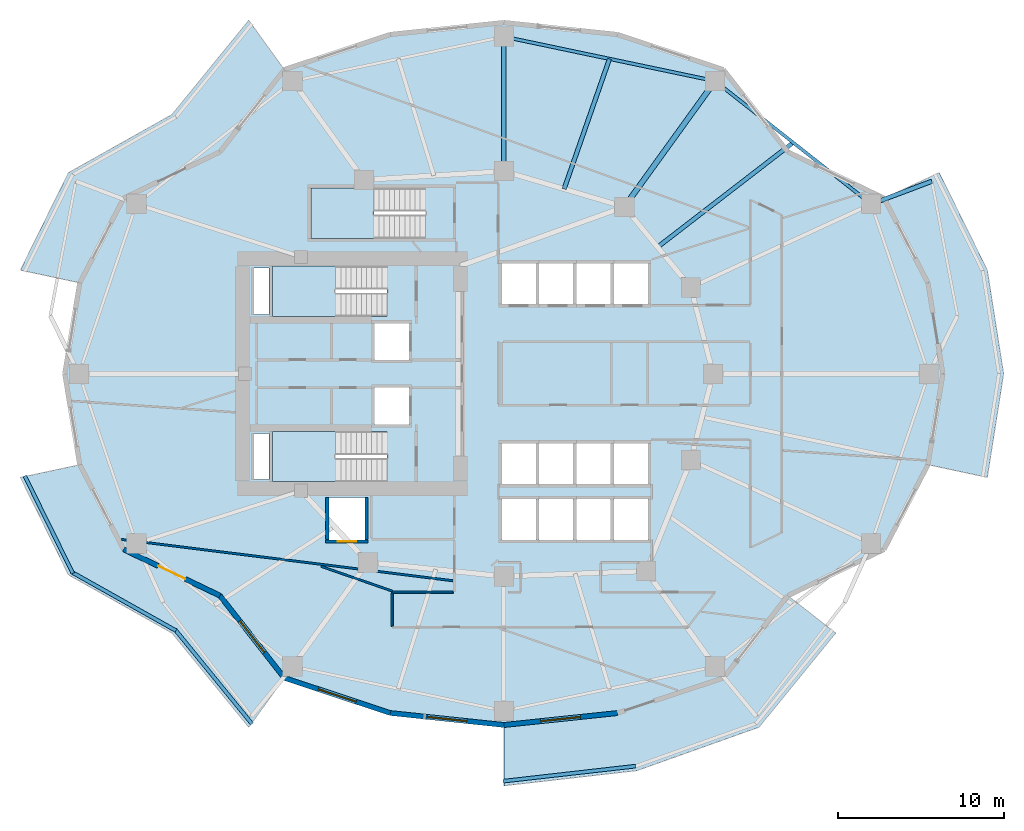
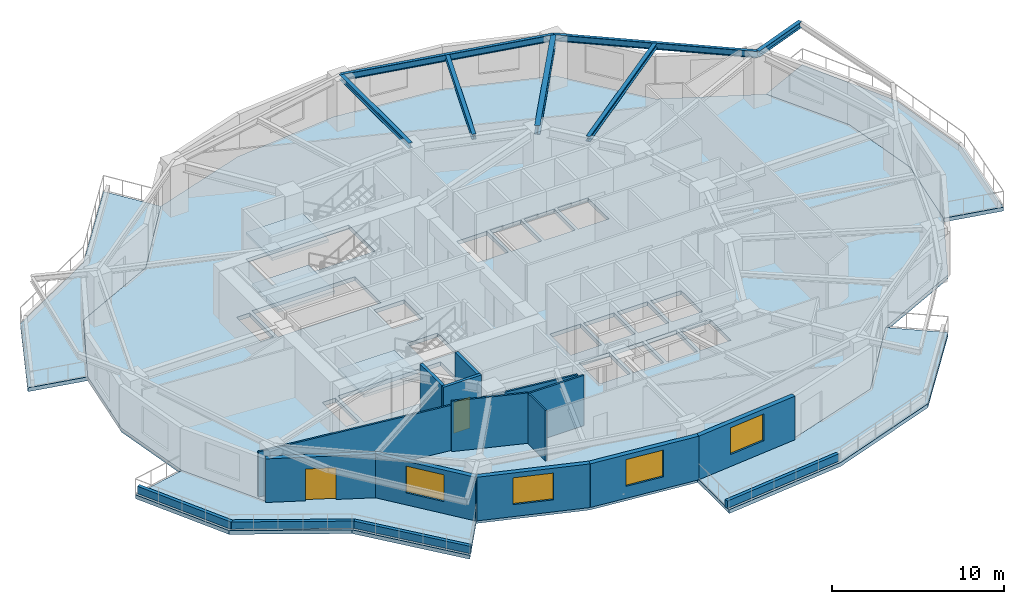
# One storey, part 2 of 11: 16 walls, 8 slabs, 7 beams, 4 windows, 2 doors, 6 openings, 3 elements without a shape of their own.
"""IFC4 building model written with IfcOpenShell, lengths in metres."""

import ifcopenshell
import ifcopenshell.guid

model = None  # the IFC model being written
_history = None  # IfcOwnerHistory: only IFC2X3 demands one
_inside = {}  # id of a spatial element -> (the spatial element, [elements in it])
_under = {}  # id of a project, library or spatial element -> (it, [spatial elements below it])
_declared = {}  # id of a project -> (the project, [libraries it declares])
_typed = {}  # id of a type object -> (the type object, [elements of that type])
_made_of = {}  # id of a material, layer set ... -> (it, [elements and type objects made of it])


def new_model(schema):
    """Start an empty IFC model of exactly this schema.

    Asked for "IFC4X3", IfcOpenShell would pick the latest addendum, in which some entities
    have other attributes; the version numbers below select the first issue.
    IFC2X3 requires an IfcOwnerHistory on every rooted entity: one is made here for all.
    """
    global model, _history
    if schema == "IFC4X3":
        model = ifcopenshell.file(schema_version=(4, 3, 0, 0))
    else:
        model = ifcopenshell.file(schema=schema)
    _inside.clear()
    _under.clear()
    _declared.clear()
    _typed.clear()
    _made_of.clear()
    _history = None
    if model.schema == "IFC2X3":
        org = make("IfcOrganization", Name="unknown")
        user = make(
            "IfcPersonAndOrganization",
            ThePerson=make("IfcPerson", FamilyName="unknown"),
            TheOrganization=org,
        )
        app = make(
            "IfcApplication",
            ApplicationDeveloper=org,
            Version="unknown",
            ApplicationFullName="unknown",
            ApplicationIdentifier="unknown",
        )
        _history = make(
            "IfcOwnerHistory",
            OwningUser=user,
            OwningApplication=app,
            ChangeAction="ADDED",
            CreationDate=0,
        )
    return model


def make(cls, **values):
    """One entity of the class cls with the attributes given. An attribute that is None is left unset."""
    return model.create_entity(
        cls, **{name: value for name, value in values.items() if value is not None}
    )


def rooted(cls, **values):
    """An entity with a GlobalId (a new one), such as an element, a storey or a relation."""
    return make(cls, GlobalId=ifcopenshell.guid.new(), OwnerHistory=_history, **values)


def si_unit(unit_type, name, prefix=None):
    """IfcSIUnit, for example si_unit("LENGTHUNIT", "METRE", prefix="MILLI")."""
    return make("IfcSIUnit", UnitType=unit_type, Prefix=prefix, Name=name)


def assignment(units):
    """IfcUnitAssignment: the units of a project."""
    return None if units is None else make("IfcUnitAssignment", Units=units)


def point(xyz):
    """IfcCartesianPoint."""
    return None if xyz is None else make("IfcCartesianPoint", Coordinates=xyz)


def direction(xyz):
    """IfcDirection."""
    return None if xyz is None else make("IfcDirection", DirectionRatios=xyz)


def frame(location, z_axis=None, x_axis=None):
    """IfcAxis2Placement3D, a coordinate frame: its origin and axes. An axis left out is left unset."""
    return make(
        "IfcAxis2Placement3D",
        Location=point(location),
        Axis=direction(z_axis),
        RefDirection=direction(x_axis),
    )


def frame_2d(location, x_axis=None):
    """IfcAxis2Placement2D, a coordinate frame in the plane: its origin and x axis."""
    return make(
        "IfcAxis2Placement2D", Location=point(location), RefDirection=direction(x_axis)
    )


def origin():
    """The frame at (0, 0, 0) with its axes left unset."""
    return frame((0.0, 0.0, 0.0))


def origin_2d():
    """The frame at (0, 0) in the plane with its x axis left unset."""
    return frame_2d((0.0, 0.0))


def place(relative_to, where):
    """IfcLocalPlacement: puts the frame where relative to a parent placement (None: the world)."""
    return make(
        "IfcLocalPlacement", PlacementRelTo=relative_to, RelativePlacement=where
    )


def context(
    kind, dimensions, precision=None, world=None, true_north=None, identifier=None
):
    """IfcGeometricRepresentationContext, for example the 3D "Model" context."""
    return make(
        "IfcGeometricRepresentationContext",
        ContextIdentifier=identifier,
        ContextType=kind,
        CoordinateSpaceDimension=dimensions,
        Precision=precision,
        WorldCoordinateSystem=world,
        TrueNorth=true_north,
    )


def subcontext(parent, identifier, kind, view, scale=None):
    """IfcGeometricRepresentationSubContext, for example "Body" below "Model"."""
    return make(
        "IfcGeometricRepresentationSubContext",
        ContextIdentifier=identifier,
        ContextType=kind,
        ParentContext=parent,
        TargetScale=scale,
        TargetView=view,
    )


def project(units=None, contexts=None):
    """IfcProject with its units and contexts."""
    return rooted(
        "IfcProject",
        Name="project",
        RepresentationContexts=contexts,
        UnitsInContext=assignment(units),
    )


def spatial(cls, under=None, at=None, **own):
    """A site, building, storey or space (cls), placed at a placement, below another one or the project."""
    s = rooted(cls, ObjectPlacement=at, **own)
    if under is not None:
        _under.setdefault(under.id(), (under, []))[1].append(s)
    return s


def polyline(points):
    """IfcPolyline through the points."""
    return make("IfcPolyline", Points=[point(p) for p in points])


def profile(cls, at=None, kind="AREA", **sizes):
    """A parametric profile (cls). Its sizes go by their IFC names, for example OverallWidth=200.0."""
    return make(cls, ProfileType=kind, Position=at, **sizes)


def rectangle(**sizes):
    """IfcRectangleProfileDef."""
    return profile("IfcRectangleProfileDef", **sizes)


def i_section(**sizes):
    """IfcIShapeProfileDef."""
    return profile("IfcIShapeProfileDef", **sizes)


def outline(outer, holes=None, kind="AREA"):
    """IfcArbitraryClosedProfileDef: a profile drawn as a closed curve; with holes, ...WithVoids."""
    if holes is None:
        return make("IfcArbitraryClosedProfileDef", ProfileType=kind, OuterCurve=outer)
    return make(
        "IfcArbitraryProfileDefWithVoids",
        ProfileType=kind,
        OuterCurve=outer,
        InnerCurves=holes,
    )


def extrude(swept, where, along, depth):
    """IfcExtrudedAreaSolid: the profile swept, set in the frame where, extruded along a direction by depth."""
    return make(
        "IfcExtrudedAreaSolid",
        SweptArea=swept,
        Position=where,
        ExtrudedDirection=direction(along),
        Depth=depth,
    )


def shape(context_of_items, identifier, shape_type, items):
    """IfcShapeRepresentation: the items that make up one representation, for example the "Body"."""
    return make(
        "IfcShapeRepresentation",
        ContextOfItems=context_of_items,
        RepresentationIdentifier=identifier,
        RepresentationType=shape_type,
        Items=items,
    )


def material(Name=None, Category=None):
    """IfcMaterial."""
    return make("IfcMaterial", Name=Name, Category=Category)


def layer(
    of_material, thickness, ventilated=None, Name=None, Category=None, Priority=None
):
    """IfcMaterialLayer: one layer of a wall or slab, of a material (None: an air gap)."""
    return make(
        "IfcMaterialLayer",
        Material=of_material,
        LayerThickness=thickness,
        IsVentilated=ventilated,
        Name=Name,
        Category=Category,
        Priority=Priority,
    )


def layer_set(layers, Name=None):
    """IfcMaterialLayerSet."""
    return make("IfcMaterialLayerSet", MaterialLayers=layers, LayerSetName=Name)


def material_profile(
    of_material, cross_section, Name=None, Category=None, Priority=None
):
    """IfcMaterialProfile: a cross section and its material."""
    return make(
        "IfcMaterialProfile",
        Name=Name,
        Material=of_material,
        Profile=cross_section,
        Priority=Priority,
        Category=Category,
    )


def profile_set(profiles, Name=None, composite=None):
    """IfcMaterialProfileSet."""
    return make(
        "IfcMaterialProfileSet",
        Name=Name,
        MaterialProfiles=profiles,
        CompositeProfile=composite,
    )


def made_of(thing, what):
    """Note that an element or type object is made of a material, layer set ...; save() writes the relation."""
    if what is not None:
        _made_of.setdefault(what.id(), (what, []))[1].append(thing)
    return thing


def type_object(cls, material=None, **own):
    """A type object (cls), such as IfcWallType, which elements share."""
    return made_of(rooted(cls, **own), material)


def element(
    cls,
    number,
    at=None,
    inside=None,
    cuts=None,
    type_object=None,
    material=None,
    context=None,
    identifier="Body",
    shape_type=None,
    held_by="IfcProductDefinitionShape",
    body=None,
    shapes=None,
    **own,
):
    """One element of the class cls, such as IfcWall. Its Tag is "e" and its number.

    at: its placement. inside: the storey or other place that contains it. cuts: it is an
    opening in that element (IfcRelVoidsElement). A single representation is given by context,
    identifier, shape_type and body (its items); several are given by shapes. held_by: the class
    of the entity that holds the representations. save() writes the other relations.
    """
    e = rooted(cls, Tag="e%d" % number, ObjectPlacement=at, **own)
    if body is not None:
        shapes = [shape(context, identifier, shape_type, body)]
    if shapes is not None:
        e.Representation = make(held_by, Representations=shapes)
    if inside is not None:
        _inside.setdefault(inside.id(), (inside, []))[1].append(e)
    if cuts is not None:
        rooted(
            "IfcRelVoidsElement", RelatingBuildingElement=cuts, RelatedOpeningElement=e
        )
    if type_object is not None:
        _typed.setdefault(type_object.id(), (type_object, []))[1].append(e)
    return made_of(e, material)


def fill(opening, filler):
    """IfcRelFillsElement: the door or window that sits in an opening."""
    return rooted(
        "IfcRelFillsElement",
        RelatingOpeningElement=opening,
        RelatedBuildingElement=filler,
    )


def aggregate(whole, parts):
    """IfcRelAggregates: a whole, such as a stair, and the parts it consists of."""
    return rooted("IfcRelAggregates", RelatingObject=whole, RelatedObjects=parts)


def save(model, path):
    """Write the relations noted so far, then the file.

    IfcRelAggregates (storeys below a building ...), IfcRelContainedInSpatialStructure (elements
    in a storey), IfcRelDefinesByType, IfcRelAssociatesMaterial and IfcRelDeclares: one each for
    every whole, place, type object, material and project.
    """
    for whole, parts in _under.values():
        aggregate(whole, parts)
    for where, things in _inside.values():
        rooted(
            "IfcRelContainedInSpatialStructure",
            RelatedElements=things,
            RelatingStructure=where,
        )
    for kind, things in _typed.values():
        rooted("IfcRelDefinesByType", RelatedObjects=things, RelatingType=kind)
    for what, things in _made_of.values():
        rooted("IfcRelAssociatesMaterial", RelatedObjects=things, RelatingMaterial=what)
    for by, libraries in _declared.values():
        rooted("IfcRelDeclares", RelatingContext=by, RelatedDefinitions=libraries)
    model.write(path)


model = new_model("IFC4")

# Units and contexts
model_context = context("Model", 3, precision=1e-05, world=origin(), true_north=direction((0.0, 1.0)))
body_context = subcontext(model_context, "Body", "Model", "MODEL_VIEW")
ifc_project = project(units=[si_unit("LENGTHUNIT", "METRE"), si_unit("AREAUNIT", "SQUARE_METRE"), si_unit("VOLUMEUNIT", "CUBIC_METRE"), si_unit("PLANEANGLEUNIT", "RADIAN"), si_unit("MASSUNIT", "GRAM", prefix="KILO")], contexts=[model_context])

# Site, building, storey
site_placement = place(None, origin())
site = spatial("IfcSite", under=ifc_project, at=site_placement, CompositionType="ELEMENT")
building_placement = place(site_placement, origin())
building = spatial("IfcBuilding", under=site, at=building_placement, Name="Kolvaren Gate Tower and Convention Centre", CompositionType="ELEMENT")
storey_placement = place(building_placement, frame((0.0, 0.0, 80.39990234375)))
storey = spatial("IfcBuildingStorey", under=building, at=storey_placement, Name="L19", CompositionType="ELEMENT", Elevation=80.39990234375)

# Beams
ifc_material_1 = material(Name="Structural steel ASTM A992 Grade 345 MPa", Category="steel")
ifc_material_profile_1 = material_profile(ifc_material_1, i_section(OverallWidth=0.260009765625, OverallDepth=0.419921875, WebThickness=0.013427734375, FlangeThickness=0.0224609375, at=origin_2d()), Name="W410X132")
ifc_profile_set_1 = profile_set([ifc_material_profile_1], Name="Structural steel ASTM A992 Grade 345 MPa")
beam_type_1 = type_object("IfcBeamType", Name="STR-BM-W410X132", PredefinedType="BEAM", material=ifc_profile_set_1)
beam_1_placement = place(storey_placement, frame((52.248779296875, 37.218505859375, 3.360595703125), z_axis=(0.935601718951, 0.353057252434, 0.0), x_axis=(-0.353057252434, 0.935601718951, 0.0)))
element("IfcBeam", 1, at=beam_1_placement, inside=storey, type_object=beam_type_1, Name="Tower L20 Planted Balcony Outrigger Cantilever BC-1B", PredefinedType="BEAM", context=body_context, shape_type="SweptSolid", body=[
    extrude(i_section(OverallWidth=0.260009765625, OverallDepth=0.419921875, WebThickness=0.013427734375, FlangeThickness=0.0224609375, at=origin_2d()), origin(), (0.0, 0.0, 1.0), 3.900146484375),
])
ifc_material_profile_2 = material_profile(ifc_material_1, i_section(OverallWidth=0.327880859375, OverallDepth=0.6279296875, WebThickness=0.0166015625, FlangeThickness=0.027587890625, at=origin_2d()), Name="W610X217")
ifc_profile_set_2 = profile_set([ifc_material_profile_2], Name="Structural steel ASTM A992 Grade 345 MPa")
beam_type_2 = type_object("IfcBeamType", Name="STR-BM-W610X217", PredefinedType="BEAM", material=ifc_profile_set_2)
beam_2_placement = place(storey_placement, frame((37.381591796875, 37.054931640625, 3.256103515625), z_axis=(0.585207971848, 0.810883240477, 0.0), x_axis=(-0.810883240477, 0.585207971848, 0.0)))
element("IfcBeam", 2, at=beam_2_placement, inside=storey, type_object=beam_type_2, Name="Tower L19 Radial Floor Girder RB-03", PredefinedType="BEAM", context=body_context, shape_type="SweptSolid", body=[
    extrude(i_section(OverallWidth=0.327880859375, OverallDepth=0.6279296875, WebThickness=0.0166015625, FlangeThickness=0.027587890625, at=origin_2d()), origin(), (0.0, 0.0, 1.0), 9.33837890625),
])
ifc_material_profile_3 = material_profile(ifc_material_1, i_section(OverallWidth=0.2548828125, OverallDepth=0.35693359375, WebThickness=0.010498046875, FlangeThickness=0.018310546875, at=origin_2d()), Name="W360X101")
ifc_profile_set_3 = profile_set([ifc_material_profile_3], Name="Structural steel ASTM A992 Grade 345 MPa")
beam_type_3 = type_object("IfcBeamType", Name="STR-JS-W360X101", PredefinedType="JOIST", material=ifc_profile_set_3)
beam_3_placement = place(storey_placement, frame((30.125, 39.199951171875, 3.3916015625), z_axis=(0.0, 1.0, 0.0), x_axis=(-1.0, 0.0, 0.0)))
element("IfcBeam", 3, at=beam_3_placement, inside=storey, type_object=beam_type_3, Name="Tower L19 Radial Floor Girder RB-04", PredefinedType="JOIST", context=body_context, shape_type="SweptSolid", body=[
    extrude(i_section(OverallWidth=0.2548828125, OverallDepth=0.35693359375, WebThickness=0.010498046875, FlangeThickness=0.018310546875, at=origin_2d()), origin(), (0.0, 0.0, 1.0), 8.10009765625),
])
beam_4_placement = place(storey_placement, frame((39.3818359375, 34.627197265625, 3.3916015625), z_axis=(0.791953664744, 0.610581192716, 0.0), x_axis=(-0.610581192716, 0.791953664744, 0.0)))
element("IfcBeam", 4, at=beam_4_placement, inside=storey, type_object=beam_type_3, Name="Tower L19 Secondary Composite Floor Joist J-02.1", PredefinedType="JOIST", context=body_context, shape_type="SweptSolid", body=[
    extrude(i_section(OverallWidth=0.2548828125, OverallDepth=0.35693359375, WebThickness=0.010498046875, FlangeThickness=0.018310546875, at=origin_2d()), origin(), (0.0, 0.0, 1.0), 10.31103515625),
])
beam_5_placement = place(storey_placement, frame((33.75341796875, 38.12744140625, 3.3916015625), z_axis=(0.329233693857, 0.944248470917, 0.0), x_axis=(-0.944248470917, 0.329233693857, 0.0)))
element("IfcBeam", 5, at=beam_5_placement, inside=storey, type_object=beam_type_3, Name="Tower L19 Secondary Composite Floor Joist J-03.1", PredefinedType="JOIST", context=body_context, shape_type="SweptSolid", body=[
    extrude(i_section(OverallWidth=0.2548828125, OverallDepth=0.35693359375, WebThickness=0.010498046875, FlangeThickness=0.018310546875, at=origin_2d()), origin(), (0.0, 0.0, 1.0), 8.298583984375),
])
ifc_material_profile_4 = material_profile(ifc_material_1, i_section(OverallWidth=0.194091796875, OverallDepth=0.468994140625, WebThickness=0.0126953125, FlangeThickness=0.0205078125, at=origin_2d()), Name="W460X106")
ifc_profile_set_4 = profile_set([ifc_material_profile_4], Name="Structural steel ASTM A992 Grade 345 MPa")
beam_type_4 = type_object("IfcBeamType", Name="STR-SP-W460X106", PredefinedType="SPANDREL", material=ifc_profile_set_4)
beam_6_placement = place(storey_placement, frame((52.248779296875, 37.218505859375, 3.335693359375), z_axis=(-0.785459824636, 0.618912646407, 0.0), x_axis=(-0.618912646407, -0.785459824636, 0.0)))
element("IfcBeam", 6, at=beam_6_placement, inside=storey, type_object=beam_type_4, Name="Tower L19 Perimeter Spandrel Beam SP-02", PredefinedType="SPANDREL", context=body_context, shape_type="SweptSolid", body=[
    extrude(i_section(OverallWidth=0.194091796875, OverallDepth=0.468994140625, WebThickness=0.0126953125, FlangeThickness=0.0205078125, at=origin_2d()), origin(), (0.0, 0.0, 1.0), 11.970458984375),
])
beam_7_placement = place(storey_placement, frame((42.846435546875, 44.627197265625, 3.335693359375), z_axis=(-0.978632602148, 0.205616706552, 0.0), x_axis=(-0.205616706552, -0.978632602148, 0.0)))
element("IfcBeam", 7, at=beam_7_placement, inside=storey, type_object=beam_type_4, Name="Tower L19 Perimeter Spandrel Beam SP-03", PredefinedType="SPANDREL", context=body_context, shape_type="SweptSolid", body=[
    extrude(i_section(OverallWidth=0.194091796875, OverallDepth=0.468994140625, WebThickness=0.0126953125, FlangeThickness=0.0205078125, at=origin_2d()), origin(), (0.0, 0.0, 1.0), 12.999267578125),
])

# Slabs
ifc_material_2 = material(Name="Concrete C50/60", Category="concrete")
ifc_layer_1 = layer(ifc_material_2, 0.27001953125)
ifc_layer_set_1 = layer_set([ifc_layer_1], Name="Concrete C50/60")
slab_type_1 = type_object("IfcSlabType", Name="STR-SL-BALC-270", PredefinedType="FLOOR", material=ifc_layer_set_1)
slab_1_placement = place(storey_placement, frame((0.0, 0.0, -0.27001953125)))
element("IfcSlab", 8, at=slab_1_placement, inside=storey, type_object=slab_type_1, Name="Tower L19 Planted Balcony Terrace Slab 1 (West)", PredefinedType="FLOOR", context=body_context, shape_type="SweptSolid", body=[
    extrude(outline(polyline([(16.90625, 45.31640625), (13.026123046875, 40.360107421875), (7.2294921875, 37.574951171875), (4.58837890625, 32.47412109375), (1.009521484375, 33.2412109375), (3.90673828125, 39.109619140625), (10.14208984375, 42.613525390625), (14.764404296875, 48.2841796875), (16.90625, 45.31640625)])), origin(), (0.0, 0.0, 1.0), 0.27001953125),
])
slab_2_placement = place(storey_placement, frame((0.0, 0.0, -0.27001953125)))
element("IfcSlab", 9, at=slab_2_placement, inside=storey, type_object=slab_type_1, Name="Tower L19 Planted Balcony Terrace Slab 2 (West)", PredefinedType="FLOOR", context=body_context, shape_type="SweptSolid", body=[
    extrude(outline(polyline([(4.58837890625, 21.52587890625), (7.2294921875, 16.425048828125), (13.026123046875, 13.639892578125), (16.90625, 8.68359375), (14.764404296875, 5.7158203125), (10.14208984375, 11.386474609375), (3.90673828125, 14.890380859375), (1.009521484375, 20.7587890625), (4.58837890625, 21.52587890625)])), origin(), (0.0, 0.0, 1.0), 0.27001953125),
])
slab_3_placement = place(storey_placement, frame((0.0, 0.0, -0.27001953125)))
element("IfcSlab", 10, at=slab_3_placement, inside=storey, type_object=slab_type_1, Name="Tower L19 Planted Balcony Terrace Slab 3 (South)", PredefinedType="FLOOR", context=body_context, shape_type="SweptSolid", body=[
    extrude(outline(polyline([(30.125, 5.85009765625), (36.967529296875, 6.57080078125), (43.34375, 8.68359375), (47.223876953125, 13.639892578125), (50.10791015625, 11.386474609375), (45.485595703125, 5.7158203125), (38.1298828125, 3.10009765625), (30.125, 2.18994140625), (30.125, 5.85009765625)])), origin(), (0.0, 0.0, 1.0), 0.27001953125),
])
slab_4_placement = place(storey_placement, frame((0.0, 0.0, -0.27001953125)))
element("IfcSlab", 11, at=slab_4_placement, inside=storey, type_object=slab_type_1, Name="Tower L19 Planted Balcony Terrace Slab 4 (East)", PredefinedType="FLOOR", context=body_context, shape_type="SweptSolid", body=[
    extrude(outline(polyline([(55.66162109375, 21.52587890625), (56.5625, 27.0), (55.66162109375, 32.47412109375), (53.0205078125, 37.574951171875), (56.34326171875, 39.109619140625), (59.240478515625, 33.2412109375), (60.222412109375, 27.0), (59.240478515625, 20.7587890625), (55.66162109375, 21.52587890625)])), origin(), (0.0, 0.0, 1.0), 0.27001953125),
])
ifc_layer_2 = layer(ifc_material_2, 0.280029296875)
ifc_layer_set_2 = layer_set([ifc_layer_2], Name="Concrete C50/60")
slab_type_2 = type_object("IfcSlabType", Name="STR-SL-FLR-280", PredefinedType="FLOOR", material=ifc_layer_set_2)
slab_5_placement = place(storey_placement, frame((0.0, 0.0, -0.27978515625)))
element("IfcSlab", 12, at=slab_5_placement, inside=storey, type_object=slab_type_2, Name="Tower L19 Structural Floor Slab", PredefinedType="FLOOR", context=body_context, shape_type="SweptSolid", body=[
    extrude(outline(polyline([(56.5625, 27.0), (55.66162109375, 32.47412109375), (53.0205078125, 37.574951171875), (47.223876953125, 40.360107421875), (43.34375, 45.31640625), (36.967529296875, 47.42919921875), (30.125, 48.14990234375), (23.282470703125, 47.42919921875), (16.90625, 45.31640625), (13.026123046875, 40.360107421875), (7.2294921875, 37.574951171875), (4.58837890625, 32.47412109375), (3.6875, 27.0), (4.58837890625, 21.52587890625), (7.2294921875, 16.425048828125), (13.026123046875, 13.639892578125), (16.90625, 8.68359375), (23.282470703125, 6.57080078125), (30.125, 5.85009765625), (36.967529296875, 6.57080078125), (43.34375, 8.68359375), (47.223876953125, 13.639892578125), (53.0205078125, 16.425048828125), (55.66162109375, 21.52587890625), (56.5625, 27.0)]), holes=[polyline([(36.75, 33.64990234375), (38.800048828125, 33.64990234375), (38.800048828125, 31.199951171875), (36.75, 31.199951171875), (36.75, 33.64990234375)]), polyline([(36.75, 20.35009765625), (36.75, 22.800048828125), (38.800048828125, 22.800048828125), (38.800048828125, 20.35009765625), (36.75, 20.35009765625)]), polyline([(36.75, 17.0), (36.75, 19.449951171875), (38.800048828125, 19.449951171875), (38.800048828125, 17.0), (36.75, 17.0)]), polyline([(34.5, 33.64990234375), (36.550048828125, 33.64990234375), (36.550048828125, 31.199951171875), (34.5, 31.199951171875), (34.5, 33.64990234375)]), polyline([(34.5, 22.800048828125), (36.550048828125, 22.800048828125), (36.550048828125, 20.35009765625), (34.5, 20.35009765625), (34.5, 22.800048828125)]), polyline([(34.5, 17.0), (34.5, 19.449951171875), (36.550048828125, 19.449951171875), (36.550048828125, 17.0), (34.5, 17.0)]), polyline([(32.25, 31.199951171875), (32.25, 33.64990234375), (34.300048828125, 33.64990234375), (34.300048828125, 31.199951171875), (32.25, 31.199951171875)]), polyline([(32.25, 22.800048828125), (34.300048828125, 22.800048828125), (34.300048828125, 20.35009765625), (32.25, 20.35009765625), (32.25, 22.800048828125)]), polyline([(32.25, 17.0), (32.25, 19.449951171875), (34.300048828125, 19.449951171875), (34.300048828125, 17.0), (32.25, 17.0)]), polyline([(30.0, 31.199951171875), (30.0, 33.64990234375), (32.050048828125, 33.64990234375), (32.050048828125, 31.199951171875), (30.0, 31.199951171875)]), polyline([(30.0, 20.35009765625), (30.0, 22.800048828125), (32.050048828125, 22.800048828125), (32.050048828125, 20.35009765625), (30.0, 20.35009765625)]), polyline([(30.0, 17.0), (30.0, 19.449951171875), (32.050048828125, 19.449951171875), (32.050048828125, 17.0), (30.0, 17.0)]), polyline([(25.39990234375, 35.159912109375), (18.5, 35.159912109375), (18.5, 38.199951171875), (25.39990234375, 38.199951171875), (25.39990234375, 35.159912109375)]), polyline([(22.35009765625, 27.840087890625), (22.35009765625, 30.0400390625), (24.39990234375, 30.0400390625), (24.39990234375, 27.840087890625), (22.35009765625, 27.840087890625)]), polyline([(22.35009765625, 23.9599609375), (22.35009765625, 26.159912109375), (24.39990234375, 26.159912109375), (24.39990234375, 23.9599609375), (22.35009765625, 23.9599609375)]), polyline([(23.10009765625, 30.4599609375), (16.199951171875, 30.4599609375), (16.199951171875, 33.5), (23.10009765625, 33.5), (23.10009765625, 30.4599609375)]), polyline([(23.10009765625, 20.5), (16.199951171875, 20.5), (16.199951171875, 23.5400390625), (23.10009765625, 23.5400390625), (23.10009765625, 20.5)]), polyline([(19.60009765625, 17.0), (19.60009765625, 19.550048828125), (21.75, 19.550048828125), (21.75, 17.0), (19.60009765625, 17.0)]), polyline([(15.080078125, 23.419921875), (15.969970703125, 23.419921875), (15.969970703125, 20.6298828125), (15.080078125, 20.6298828125), (15.080078125, 23.419921875)]), polyline([(15.080078125, 30.580078125), (15.080078125, 33.3701171875), (15.969970703125, 33.3701171875), (15.969970703125, 30.580078125), (15.080078125, 30.580078125)])]), origin(), (0.0, 0.0, 1.0), 0.27978515625),
])

# Stair, slab
stair_type = type_object("IfcStairType", Name="STR-STAIR-CORE", PredefinedType="HALF_TURN_STAIR", material=ifc_material_2)
stair_1_placement = place(storey_placement, origin())
stair_1 = element("IfcStair", 13, at=stair_1_placement, inside=storey, type_object=stair_type, Name="L19 Tower North Exit Stair ST-T1", PredefinedType="HALF_TURN_STAIR")
ifc_layer_3 = layer(ifc_material_2, 0.199951171875)
ifc_layer_set_3 = layer_set([ifc_layer_3], Name="Concrete C50/60")
slab_type_3 = type_object("IfcSlabType", Name="STR-SL-LAND-200", PredefinedType="LANDING", material=ifc_layer_set_3)
slab_6_placement = place(storey_placement, frame((0.0, 0.0, 1.72509765625)))
slab_6 = element("IfcSlab", 14, at=slab_6_placement, type_object=slab_type_3, Name="ST-T1 landing 1", PredefinedType="LANDING", context=body_context, shape_type="SweptSolid", body=[
    extrude(outline(polyline([(20.0, 33.5), (16.199951171875, 33.5), (16.199951171875, 30.4599609375), (20.0, 30.4599609375), (20.0, 33.5)])), origin(), (0.0, 0.0, 1.0), 0.199951171875),
])
aggregate(stair_1, [slab_6])

stair_2_placement = place(storey_placement, origin())
stair_2 = element("IfcStair", 15, at=stair_2_placement, inside=storey, type_object=stair_type, Name="L19 Tower South Exit Stair ST-T2", PredefinedType="HALF_TURN_STAIR")
slab_7_placement = place(storey_placement, frame((0.0, 0.0, 1.72509765625)))
slab_7 = element("IfcSlab", 16, at=slab_7_placement, type_object=slab_type_3, Name="ST-T2 landing 1", PredefinedType="LANDING", context=body_context, shape_type="SweptSolid", body=[
    extrude(outline(polyline([(20.0, 23.5400390625), (16.199951171875, 23.5400390625), (16.199951171875, 20.5), (20.0, 20.5), (20.0, 23.5400390625)])), origin(), (0.0, 0.0, 1.0), 0.199951171875),
])
aggregate(stair_2, [slab_7])

stair_3_placement = place(storey_placement, origin())
stair_3 = element("IfcStair", 17, at=stair_3_placement, inside=storey, type_object=stair_type, Name="L19 Tower Mid-Zone Exit Stair ST-T3", PredefinedType="HALF_TURN_STAIR")
slab_8_placement = place(storey_placement, frame((0.0, 0.0, 1.72509765625)))
slab_8 = element("IfcSlab", 18, at=slab_8_placement, type_object=slab_type_3, Name="ST-T3 landing 1", PredefinedType="LANDING", context=body_context, shape_type="SweptSolid", body=[
    extrude(outline(polyline([(22.300048828125, 38.199951171875), (18.5, 38.199951171875), (18.5, 35.159912109375), (22.300048828125, 35.159912109375), (22.300048828125, 38.199951171875)])), origin(), (0.0, 0.0, 1.0), 0.199951171875),
])
aggregate(stair_3, [slab_8])

# Walls
ifc_material_3 = material(Name="Fire-Rated Acoustic Gypsum Stud Partition", Category="gypsum")
ifc_layer_4 = layer(ifc_material_3, 0.1201171875)
ifc_layer_set_4 = layer_set([ifc_layer_4], Name="Fire-Rated Acoustic Gypsum Stud Partition")
wall_type_1 = type_object("IfcWallType", Name="ARCH-WL-PART-120", PredefinedType="PARTITIONING", material=ifc_layer_set_4)
wall_1_placement = place(storey_placement, frame((23.39990234375, 13.85009765625, 0.0), z_axis=(0.0, 0.0, 1.0), x_axis=(1.0, 0.0, 0.0)))
element("IfcWall", 19, at=wall_1_placement, inside=storey, type_object=wall_type_1, Name="Interior Partition WL-L19-INT-020", PredefinedType="PARTITIONING", context=body_context, shape_type="SweptSolid", body=[
    extrude(rectangle(XDim=3.673095703125, YDim=0.1201171875, at=frame_2d((1.83642578125, 0.0))), origin(), (0.0, 0.0, 1.0), 3.570068359375),
])
wall_2_placement = place(storey_placement, frame((23.39990234375, 11.81201171875, 0.0), z_axis=(0.0, 0.0, 1.0), x_axis=(0.0, 1.0, 0.0)))
element("IfcWall", 20, at=wall_2_placement, inside=storey, type_object=wall_type_1, Name="Interior Partition WL-L19-INT-025", PredefinedType="PARTITIONING", context=body_context, shape_type="SweptSolid", body=[
    extrude(rectangle(XDim=1.97607421875, YDim=0.1201171875, at=frame_2d((0.988037109375, 0.0))), origin(), (0.0, 0.0, 1.0), 3.570068359375),
])
wall_3_placement = place(storey_placement, frame((7.08935546875, 17.0263671875, 0.0), z_axis=(0.0, 0.0, 1.0), x_axis=(0.992316064114, -0.123728852337, 0.0)))
element("IfcWall", 21, at=wall_3_placement, inside=storey, type_object=wall_type_1, Name="Interior Partition WL-L19-INT-045", PredefinedType="PARTITIONING", context=body_context, shape_type="SweptSolid", body=[
    extrude(rectangle(XDim=20.138427734375, YDim=0.1201171875, at=frame_2d((10.0693359375, 0.0))), origin(), (0.0, 0.0, 1.0), 3.205078125),
])
wall_4_placement = place(storey_placement, frame((19.11865234375, 15.403564453125, 0.0), z_axis=(0.0, 0.0, 1.0), x_axis=(0.94466257089, -0.32804363606, 0.0)))
element("IfcWall", 22, at=wall_4_placement, inside=storey, type_object=wall_type_1, Name="Interior Partition WL-L19-INT-047", PredefinedType="PARTITIONING", context=body_context, shape_type="SweptSolid", body=[
    extrude(rectangle(XDim=4.546630859375, YDim=0.1201171875, at=frame_2d((2.2734375, 0.0))), origin(), (0.0, 0.0, 1.0), 3.570068359375),
])
ifc_material_4 = material(Name="Piedmont Cream Honed Limestone Cladding", Category="masonry")
ifc_layer_5 = layer(ifc_material_4, 0.219970703125)
ifc_layer_set_5 = layer_set([ifc_layer_5], Name="Piedmont Cream Honed Limestone Cladding")
wall_type_2 = type_object("IfcWallType", Name="ARCH-WL-PLANTER-220", PredefinedType="PARAPET", material=ifc_layer_set_5)
wall_5_placement = place(storey_placement, frame((1.275390625, 20.846923828125, 0.0), z_axis=(0.0, 0.0, 1.0), x_axis=(0.442686636348, -0.89667638644, 0.0)))
element("IfcWall", 23, at=wall_5_placement, inside=storey, type_object=wall_type_2, Name="Vertical-Forest Balcony Stone Planter Kerb PK-L19-2.1", PredefinedType="PARAPET", context=body_context, shape_type="SweptSolid", body=[
    extrude(rectangle(XDim=6.544677734375, YDim=0.219970703125, at=frame_2d((3.2724609375, 0.0))), origin(), (0.0, 0.0, 1.0), 0.52001953125),
])
wall_6_placement = place(storey_placement, frame((4.14697265625, 15.034423828125, 0.0), z_axis=(0.0, 0.0, 1.0), x_axis=(0.871775109335, -0.489906275468, 0.0)))
element("IfcWall", 24, at=wall_6_placement, inside=storey, type_object=wall_type_2, Name="Vertical-Forest Balcony Stone Planter Kerb PK-L19-2.2", PredefinedType="PARAPET", context=body_context, shape_type="SweptSolid", body=[
    extrude(rectangle(XDim=7.152099609375, YDim=0.219970703125, at=frame_2d((3.576171875, 0.0))), origin(), (0.0, 0.0, 1.0), 0.52001953125),
])
wall_7_placement = place(storey_placement, frame((10.335693359375, 11.588623046875, 0.0), z_axis=(0.0, 0.0, 1.0), x_axis=(0.631819273026, -0.775115737315, 0.0)))
element("IfcWall", 25, at=wall_7_placement, inside=storey, type_object=wall_type_2, Name="Vertical-Forest Balcony Stone Planter Kerb PK-L19-2.3", PredefinedType="PARAPET", context=body_context, shape_type="SweptSolid", body=[
    extrude(rectangle(XDim=7.31591796875, YDim=0.219970703125, at=frame_2d((3.657958984375, 0.0))), origin(), (0.0, 0.0, 1.0), 0.52001953125),
])
wall_8_placement = place(storey_placement, frame((30.07958984375, 2.46630859375, 0.0), z_axis=(0.0, 0.0, 1.0), x_axis=(0.993598144351, 0.112972242349, 0.0)))
element("IfcWall", 26, at=wall_8_placement, inside=storey, type_object=wall_type_2, Name="Vertical-Forest Balcony Stone Planter Kerb PK-L19-3.1", PredefinedType="PARAPET", context=body_context, shape_type="SweptSolid", body=[
    extrude(rectangle(XDim=8.056396484375, YDim=0.219970703125, at=frame_2d((4.0283203125, 0.0))), origin(), (0.0, 0.0, 1.0), 0.52001953125),
])

# Wall, opening, door
ifc_material_5 = material(Name="Autoclaved Aerated Masonry Blockwork Class 4 (4.0 MPa)", Category="masonry")
ifc_layer_6 = layer(ifc_material_5, 0.199951171875)
ifc_layer_set_6 = layer_set([ifc_layer_6], Name="Autoclaved Aerated Masonry Blockwork Class 4 (4.0 MPa)")
wall_type_3 = type_object("IfcWallType", Name="ARCH-WL-SHAFT-200", PredefinedType="SOLIDWALL", material=ifc_layer_set_6)
wall_9_placement = place(storey_placement, frame((19.39990234375, 16.89990234375, 0.0), z_axis=(0.0, 0.0, 1.0), x_axis=(1.0, 0.0, 0.0)))
wall_9 = element("IfcWall", 27, at=wall_9_placement, inside=storey, type_object=wall_type_3, Name="Elevator SV-01 L19 Fire Shaft Wall S", PredefinedType="SOLIDWALL", context=body_context, shape_type="SweptSolid", body=[
    extrude(rectangle(XDim=2.550048828125, YDim=0.199951171875, at=frame_2d((1.27490234375, 0.0))), origin(), (0.0, 0.0, 1.0), 3.570068359375),
])
opening_1_placement = place(wall_9_placement, frame((0.72509765625, 0.0, 0.0)))
opening_1 = element("IfcOpeningElement", 28, at=opening_1_placement, cuts=wall_9, Name="Opening LD", PredefinedType="OPENING", context=body_context, shape_type="SweptSolid", body=[
    extrude(rectangle(XDim=1.10009765625, YDim=2.199951171875, at=frame_2d((0.550048828125, 1.10009765625))), frame((0.0, 0.10986328125, 0.0), z_axis=(0.0, -1.0, 0.0), x_axis=(1.0, 0.0, 0.0)), (0.0, 0.0, 1.0), 0.219970703125),
])
ifc_material_6 = material(Name="Brushed Stainless Steel Grade 316L", Category="steel")
door_type_1 = type_object("IfcDoorType", Name="ARCH-DR-LIFT-1100", OperationType="SLIDING_TO_LEFT", PredefinedType="DOOR", material=ifc_material_6)
door_1_placement = place(opening_1_placement, origin())
door_1 = element("IfcDoor", 29, at=door_1_placement, inside=storey, type_object=door_type_1, Name="Elevator SV-01 L19 Sliding Landing Door", OperationType="SLIDING_TO_LEFT", OverallHeight=2.199951171875, OverallWidth=1.10009765625, PredefinedType="DOOR", context=body_context, shape_type="SweptSolid", body=[
    extrude(rectangle(XDim=1.10009765625, YDim=2.199951171875, at=frame_2d((0.550048828125, 1.10009765625))), frame((0.0, 0.02490234375, 0.0), z_axis=(0.0, -1.0, 0.0), x_axis=(1.0, 0.0, 0.0)), (0.0, 0.0, 1.0), 0.050048828125),
])
fill(opening_1, door_1)

# Walls
for number, where, z_axis, x_axis, name in (
    (30, (19.5, 17.010009765625, 0.0), (0.0, 0.0, 1.0), (0.0, 1.0, 0.0), "Elevator SV-01 L19 Fire Shaft Wall W"),
    (31, (21.85009765625, 17.010009765625, 0.0), (0.0, 0.0, 1.0), (0.0, 1.0, 0.0), "Elevator SV-01 L19 Fire Shaft Wall E"),
):
    element("IfcWall", number, at=place(storey_placement, frame(where, z_axis=z_axis, x_axis=x_axis)), inside=storey, type_object=wall_type_3, Name=name, PredefinedType="SOLIDWALL", context=body_context, shape_type="SweptSolid", body=[
        extrude(rectangle(XDim=2.530029296875, YDim=0.199951171875, at=frame_2d((1.26513671875, 0.0))), origin(), (0.0, 0.0, 1.0), 3.570068359375),
    ])

# Wall, opening, door
ifc_layer_7 = layer(ifc_material_4, 0.300048828125)
ifc_layer_set_7 = layer_set([ifc_layer_7], Name="Piedmont Cream Honed Limestone Cladding")
wall_type_4 = type_object("IfcWallType", Name="ARCH-WL-STONE-300", PredefinedType="SOLIDWALL", material=ifc_layer_set_7)
wall_10_placement = place(storey_placement, frame((7.2294921875, 16.425048828125, 0.0), z_axis=(0.0, 0.0, 1.0), x_axis=(0.901354747727, -0.433081538224, 0.0)))
wall_10 = element("IfcWall", 32, at=wall_10_placement, inside=storey, type_object=wall_type_4, Name="Tower L19 Honed Stone Spandrel Wall EW-14", PredefinedType="SOLIDWALL", context=body_context, shape_type="SweptSolid", body=[
    extrude(rectangle(XDim=6.430908203125, YDim=0.300048828125, at=frame_2d((3.21533203125, 0.0))), origin(), (0.0, 0.0, 1.0), 3.093017578125),
])
opening_2_placement = place(wall_10_placement, frame((2.31494140625, 0.0, 0.0)))
opening_2 = element("IfcOpeningElement", 33, at=opening_2_placement, cuts=wall_10, Name="Opening DB-01", PredefinedType="OPENING", context=body_context, shape_type="SweptSolid", body=[
    extrude(rectangle(XDim=1.800048828125, YDim=2.25, at=frame_2d((0.89990234375, 1.125))), frame((0.0, 0.159912109375, 0.0), z_axis=(0.0, -1.0, 0.0), x_axis=(1.0, 0.0, 0.0)), (0.0, 0.0, 1.0), 0.320068359375),
])
ifc_material_7 = material(Name="Anodized Architectural Aluminium Alloy 6063-T6", Category="aluminium")
door_type_2 = type_object("IfcDoorType", Name="ARCH-DR-BALC-1800", OperationType="SLIDING_TO_LEFT", PredefinedType="DOOR", material=ifc_material_7)
door_2_placement = place(opening_2_placement, frame((1.800048828125, 0.0, 0.0), z_axis=(0.0, 0.0, 1.0), x_axis=(-1.0, 0.0, 0.0)))
door_2 = element("IfcDoor", 34, at=door_2_placement, inside=storey, type_object=door_type_2, Name="Planted Sky Terrace Access Door DB-L19-14", OperationType="SLIDING_TO_LEFT", OverallHeight=2.25, OverallWidth=1.800048828125, PredefinedType="DOOR", context=body_context, shape_type="SweptSolid", body=[
    extrude(rectangle(XDim=1.800048828125, YDim=2.25, at=frame_2d((0.89990234375, 1.125))), frame((0.0, 0.02490234375, 0.0), z_axis=(0.0, -1.0, 0.0), x_axis=(1.0, 0.0, 0.0)), (0.0, 0.0, 1.0), 0.050048828125),
])
fill(opening_2, door_2)

# Wall, opening, window
wall_11_placement = place(storey_placement, frame((13.026123046875, 13.639892578125, 0.0), z_axis=(0.0, 0.0, 1.0), x_axis=(0.616434798832, -0.78740595552, 0.0)))
wall_11 = element("IfcWall", 35, at=wall_11_placement, inside=storey, type_object=wall_type_4, Name="Tower L19 Honed Stone Spandrel Wall EW-15", PredefinedType="SOLIDWALL", context=body_context, shape_type="SweptSolid", body=[
    extrude(rectangle(XDim=6.29443359375, YDim=0.300048828125, at=frame_2d((3.147216796875, 0.0))), origin(), (0.0, 0.0, 1.0), 3.093017578125),
])
opening_3_placement = place(wall_11_placement, frame((1.947021484375, 0.0, 0.85009765625)))
opening_3 = element("IfcOpeningElement", 36, at=opening_3_placement, cuts=wall_11, Name="Opening W-01", PredefinedType="OPENING", context=body_context, shape_type="SweptSolid", body=[
    extrude(rectangle(XDim=2.39990234375, YDim=1.89990234375, at=frame_2d((1.199951171875, 0.949951171875))), frame((0.0, 0.159912109375, 0.0), z_axis=(0.0, -1.0, 0.0), x_axis=(1.0, 0.0, 0.0)), (0.0, 0.0, 1.0), 0.320068359375),
])
ifc_material_8 = material(Name="Low-E Triple Insulated Glazing Unit 44 mm", Category="glass")
window_type = type_object("IfcWindowType", Name="ARCH-WN-OFF-2400", PartitioningType="SINGLE_PANEL", PredefinedType="WINDOW", material=ifc_material_8)
window_1_placement = place(opening_3_placement, origin())
window_1 = element("IfcWindow", 37, at=window_1_placement, inside=storey, type_object=window_type, Name="Tower L19 Punched Stone Facade Window W-15", OverallHeight=1.89990234375, OverallWidth=2.39990234375, PartitioningType="SINGLE_PANEL", PredefinedType="WINDOW", context=body_context, shape_type="SweptSolid", body=[
    extrude(rectangle(XDim=2.39990234375, YDim=1.89990234375, at=frame_2d((1.199951171875, 0.949951171875))), frame((0.0, 0.030029296875, 0.0), z_axis=(0.0, -1.0, 0.0), x_axis=(1.0, 0.0, 0.0)), (0.0, 0.0, 1.0), 0.06005859375),
])
fill(opening_3, window_1)

wall_12_placement = place(storey_placement, frame((16.90625, 8.68359375, 0.0), z_axis=(0.0, 0.0, 1.0), x_axis=(0.949245153629, -0.314537181127, 0.0)))
wall_12 = element("IfcWall", 38, at=wall_12_placement, inside=storey, type_object=wall_type_4, Name="Tower L19 Honed Stone Spandrel Wall EW-16", PredefinedType="SOLIDWALL", context=body_context, shape_type="SweptSolid", body=[
    extrude(rectangle(XDim=6.717041015625, YDim=0.300048828125, at=frame_2d((3.3583984375, 0.0))), origin(), (0.0, 0.0, 1.0), 3.093017578125),
])
opening_4_placement = place(wall_12_placement, frame((2.158935546875, 0.0, 0.85009765625)))
opening_4 = element("IfcOpeningElement", 39, at=opening_4_placement, cuts=wall_12, Name="Opening W-01", PredefinedType="OPENING", context=body_context, shape_type="SweptSolid", body=[
    extrude(rectangle(XDim=2.39990234375, YDim=1.89990234375, at=frame_2d((1.199951171875, 0.949951171875))), frame((0.0, 0.159912109375, 0.0), z_axis=(0.0, -1.0, 0.0), x_axis=(1.0, 0.0, 0.0)), (0.0, 0.0, 1.0), 0.320068359375),
])
window_2_placement = place(opening_4_placement, origin())
window_2 = element("IfcWindow", 40, at=window_2_placement, inside=storey, type_object=window_type, Name="Tower L19 Punched Stone Facade Window W-16", OverallHeight=1.89990234375, OverallWidth=2.39990234375, PartitioningType="SINGLE_PANEL", PredefinedType="WINDOW", context=body_context, shape_type="SweptSolid", body=[
    extrude(rectangle(XDim=2.39990234375, YDim=1.89990234375, at=frame_2d((1.199951171875, 0.949951171875))), frame((0.0, 0.030029296875, 0.0), z_axis=(0.0, -1.0, 0.0), x_axis=(1.0, 0.0, 0.0)), (0.0, 0.0, 1.0), 0.06005859375),
])
fill(opening_4, window_2)

wall_13_placement = place(storey_placement, frame((23.282470703125, 6.57080078125, 0.0), z_axis=(0.0, 0.0, 1.0), x_axis=(0.994498840295, -0.104747585419, 0.0)))
wall_13 = element("IfcWall", 41, at=wall_13_placement, inside=storey, type_object=wall_type_4, Name="Tower L19 Honed Stone Spandrel Wall EW-17", PredefinedType="SOLIDWALL", context=body_context, shape_type="SweptSolid", body=[
    extrude(rectangle(XDim=6.88037109375, YDim=0.300048828125, at=frame_2d((3.440185546875, 0.0))), origin(), (0.0, 0.0, 1.0), 3.093017578125),
])
opening_5_placement = place(wall_13_placement, frame((2.239990234375, 0.0, 0.85009765625)))
opening_5 = element("IfcOpeningElement", 42, at=opening_5_placement, cuts=wall_13, Name="Opening W-01", PredefinedType="OPENING", context=body_context, shape_type="SweptSolid", body=[
    extrude(rectangle(XDim=2.39990234375, YDim=1.89990234375, at=frame_2d((1.199951171875, 0.949951171875))), frame((0.0, 0.159912109375, 0.0), z_axis=(0.0, -1.0, 0.0), x_axis=(1.0, 0.0, 0.0)), (0.0, 0.0, 1.0), 0.320068359375),
])
window_3_placement = place(opening_5_placement, origin())
window_3 = element("IfcWindow", 43, at=window_3_placement, inside=storey, type_object=window_type, Name="Tower L19 Punched Stone Facade Window W-17", OverallHeight=1.89990234375, OverallWidth=2.39990234375, PartitioningType="SINGLE_PANEL", PredefinedType="WINDOW", context=body_context, shape_type="SweptSolid", body=[
    extrude(rectangle(XDim=2.39990234375, YDim=1.89990234375, at=frame_2d((1.199951171875, 0.949951171875))), frame((0.0, 0.030029296875, 0.0), z_axis=(0.0, -1.0, 0.0), x_axis=(1.0, 0.0, 0.0)), (0.0, 0.0, 1.0), 0.06005859375),
])
fill(opening_5, window_3)

wall_14_placement = place(storey_placement, frame((30.125, 5.85009765625, 0.0), z_axis=(0.0, 0.0, 1.0), x_axis=(0.994498840295, 0.104747585419, 0.0)))
wall_14 = element("IfcWall", 44, at=wall_14_placement, inside=storey, type_object=wall_type_4, Name="Tower L19 Honed Stone Spandrel Wall EW-18", PredefinedType="SOLIDWALL", context=body_context, shape_type="SweptSolid", body=[
    extrude(rectangle(XDim=6.88037109375, YDim=0.300048828125, at=frame_2d((3.440185546875, 0.0))), origin(), (0.0, 0.0, 1.0), 3.093017578125),
])
opening_6_placement = place(wall_14_placement, frame((2.239990234375, 0.0, 0.85009765625)))
opening_6 = element("IfcOpeningElement", 45, at=opening_6_placement, cuts=wall_14, Name="Opening W-01", PredefinedType="OPENING", context=body_context, shape_type="SweptSolid", body=[
    extrude(rectangle(XDim=2.39990234375, YDim=1.89990234375, at=frame_2d((1.199951171875, 0.949951171875))), frame((0.0, 0.159912109375, 0.0), z_axis=(0.0, -1.0, 0.0), x_axis=(1.0, 0.0, 0.0)), (0.0, 0.0, 1.0), 0.320068359375),
])
window_4_placement = place(opening_6_placement, origin())
window_4 = element("IfcWindow", 46, at=window_4_placement, inside=storey, type_object=window_type, Name="Tower L19 Punched Stone Facade Window W-18", OverallHeight=1.89990234375, OverallWidth=2.39990234375, PartitioningType="SINGLE_PANEL", PredefinedType="WINDOW", context=body_context, shape_type="SweptSolid", body=[
    extrude(rectangle(XDim=2.39990234375, YDim=1.89990234375, at=frame_2d((1.199951171875, 0.949951171875))), frame((0.0, 0.030029296875, 0.0), z_axis=(0.0, -1.0, 0.0), x_axis=(1.0, 0.0, 0.0)), (0.0, 0.0, 1.0), 0.06005859375),
])
fill(opening_6, window_4)

save(model, "model.ifc")
